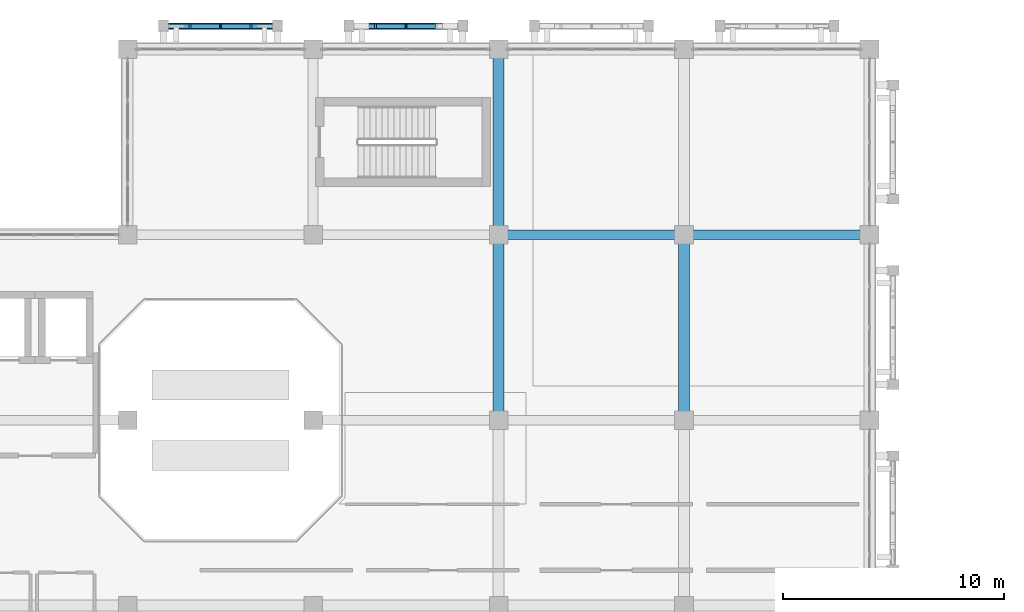
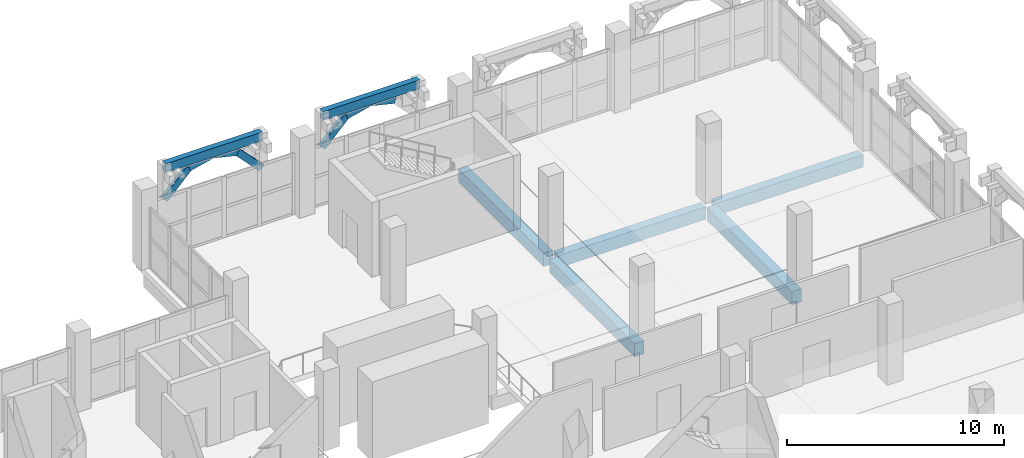
# One storey, part 59 of 137: 7 beams, 7 members.
"""IFC4 building model written with IfcOpenShell, lengths in metres."""

from ifc_helpers import new_model, si_unit, direction, frame, origin, origin_2d, place, context, subcontext, project, spatial, rectangle, extrude, material, material_profile, profile_set, type_object, element, save


model = new_model("IFC4")

# Units and contexts
model_context = context("Model", 3, precision=1e-05, world=origin(), true_north=direction((0.0, 1.0)))
body_context = subcontext(model_context, "Body", "Model", "MODEL_VIEW")
ifc_project = project(units=[si_unit("LENGTHUNIT", "METRE"), si_unit("AREAUNIT", "SQUARE_METRE"), si_unit("VOLUMEUNIT", "CUBIC_METRE"), si_unit("PLANEANGLEUNIT", "RADIAN"), si_unit("MASSUNIT", "GRAM", prefix="KILO")], contexts=[model_context])

# Site, building, storey
site_placement = place(None, origin())
site = spatial("IfcSite", under=ifc_project, at=site_placement, CompositionType="ELEMENT")
building_placement = place(site_placement, origin())
building = spatial("IfcBuilding", under=site, at=building_placement, Name="Xazarin Passage Department Store", CompositionType="ELEMENT")
storey_placement = place(building_placement, frame((0.0, 0.0, 5.39990234375)))
storey = spatial("IfcBuildingStorey", under=building, at=storey_placement, Name="L01", CompositionType="ELEMENT", Elevation=5.39990234375)

# Beams
ifc_material_1 = material(Name="Concrete C35/45", Category="concrete")
ifc_material_profile_1 = material_profile(ifc_material_1, rectangle(XDim=0.449951171875, YDim=0.699951171875, at=origin_2d()), Name="RC 450x700")
ifc_profile_set_1 = profile_set([ifc_material_profile_1], Name="Concrete C35/45")
beam_type_1 = type_object("IfcBeamType", Name="STR-BM-G450x700", PredefinedType="BEAM", material=ifc_profile_set_1)
for number, where, z_axis, x_axis, name in (
    (1, (33.8798828125, 101.60009765625, -0.64990234375), (1.0, 0.0, 0.0), (0.0, 1.0, 0.0), "L01 Grid Beam P/5-6"),
    (2, (42.280029296875, 101.60009765625, -0.64990234375), (1.0, 0.0, 0.0), (0.0, 1.0, 0.0), "L01 Grid Beam P/6-7"),
):
    element("IfcBeam", number, at=place(storey_placement, frame(where, z_axis=z_axis, x_axis=x_axis)), inside=storey, type_object=beam_type_1, Name=name, PredefinedType="BEAM", context=body_context, shape_type="SweptSolid", body=[
        extrude(rectangle(XDim=0.449951171875, YDim=0.699951171875, at=origin_2d()), origin(), (0.0, 0.0, 1.0), 7.840087890625),
    ])
ifc_material_profile_2 = material_profile(ifc_material_1, rectangle(XDim=0.300048828125, YDim=0.5, at=origin_2d()), Name="RC 300x500")
ifc_profile_set_2 = profile_set([ifc_material_profile_2], Name="Concrete C35/45")
beam_type_2 = type_object("IfcBeamType", Name="STR-BM-LN300x500", PredefinedType="LINTEL", material=ifc_profile_set_2)
beam_1_placement = place(storey_placement, frame((18.419921875, 111.050048828125, 4.25), z_axis=(1.0, 0.0, 0.0), x_axis=(0.0, 1.0, 0.0)))
element("IfcBeam", 3, at=beam_1_placement, inside=storey, type_object=beam_type_2, Name="L01 V1 Colonnade Spandrel Beam 001", PredefinedType="LINTEL", context=body_context, shape_type="SweptSolid", body=[
    extrude(rectangle(XDim=0.300048828125, YDim=0.5, at=origin_2d()), origin(), (0.0, 0.0, 1.0), 5.16015625),
])
beam_2_placement = place(storey_placement, frame((26.820068359375, 111.050048828125, 4.25), z_axis=(1.0, 0.0, 0.0), x_axis=(0.0, 1.0, 0.0)))
element("IfcBeam", 4, at=beam_2_placement, inside=storey, type_object=beam_type_2, Name="L01 V1 Colonnade Spandrel Beam 002", PredefinedType="LINTEL", context=body_context, shape_type="SweptSolid", body=[
    extrude(rectangle(XDim=0.300048828125, YDim=0.5, at=origin_2d()), origin(), (0.0, 0.0, 1.0), 5.159912109375),
])
ifc_material_profile_3 = material_profile(ifc_material_1, rectangle(XDim=0.5, YDim=0.75, at=origin_2d()), Name="RC 500x750")
ifc_profile_set_3 = profile_set([ifc_material_profile_3], Name="Concrete C35/45")
beam_type_3 = type_object("IfcBeamType", Name="STR-BM-SP500x750", PredefinedType="SPANDREL", material=ifc_profile_set_3)
for number, where, z_axis, x_axis, name in (
    (5, (33.60009765625, 93.47998046875, -0.6748046875), (0.0, 1.0, 0.0), (-1.0, 0.0, 0.0), "L01 Grid Beam 5/N-P"),
    (6, (33.60009765625, 101.8798828125, -0.6748046875), (0.0, 1.0, 0.0), (-1.0, 0.0, 0.0), "L01 Grid Beam 5/P-Q"),
    (7, (42.0, 93.47998046875, -0.6748046875), (0.0, 1.0, 0.0), (-1.0, 0.0, 0.0), "L01 Grid Beam 6/N-P"),
):
    element("IfcBeam", number, at=place(storey_placement, frame(where, z_axis=z_axis, x_axis=x_axis)), inside=storey, type_object=beam_type_3, Name=name, PredefinedType="SPANDREL", context=body_context, shape_type="SweptSolid", body=[
        extrude(rectangle(XDim=0.5, YDim=0.75, at=origin_2d()), origin(), (0.0, 0.0, 1.0), 7.840087890625),
    ])

# Members
ifc_material_2 = material(Name="Concrete C40/50", Category="concrete")
ifc_material_profile_4 = material_profile(ifc_material_2, rectangle(XDim=0.199951171875, YDim=0.360107421875, at=origin_2d()), Name="RC 200x360")
ifc_profile_set_4 = profile_set([ifc_material_profile_4], Name="Concrete C40/50")
member_type = type_object("IfcMemberType", Name="STR-MEM-ARC360", PredefinedType="CHORD", material=ifc_profile_set_4)
member_1_placement = place(storey_placement, frame((18.419921875, 111.050048828125, 2.43017578125), z_axis=(0.693460080602, 0.0, 0.720495049679), x_axis=(0.0, 1.0, 0.0)))
element("IfcMember", 8, at=member_1_placement, inside=storey, type_object=member_type, Name="L01 V1 Pierced Lattice Curved Arch 001.1", PredefinedType="CHORD", context=body_context, shape_type="SweptSolid", body=[
    extrude(rectangle(XDim=0.199951171875, YDim=0.360107421875, at=origin_2d()), origin(), (0.0, 0.0, 1.0), 1.8603515625),
])
for number, where, z_axis, x_axis, name in (
    (9, (19.7099609375, 111.050048828125, 3.7705078125), (0.972393983317, 0.0, 0.233345111818), (0.0, 1.0, 0.0), "L01 V1 Pierced Lattice Curved Arch 001.2"),
    (10, (21.0, 111.050048828125, 4.080078125), (0.972393983317, 0.0, -0.233345111818), (0.0, 1.0, 0.0), "L01 V1 Pierced Lattice Curved Arch 001.3"),
):
    element("IfcMember", number, at=place(storey_placement, frame(where, z_axis=z_axis, x_axis=x_axis)), inside=storey, type_object=member_type, Name=name, PredefinedType="CHORD", context=body_context, shape_type="SweptSolid", body=[
        extrude(rectangle(XDim=0.199951171875, YDim=0.360107421875, at=origin_2d()), origin(), (0.0, 0.0, 1.0), 1.32666015625),
    ])
for number, where, z_axis, x_axis, name in (
    (11, (22.2900390625, 111.050048828125, 3.7705078125), (0.693460080602, 0.0, -0.720495049679), (0.0, 1.0, 0.0), "L01 V1 Pierced Lattice Curved Arch 001.4"),
    (12, (26.820068359375, 111.050048828125, 2.43017578125), (0.693460080602, 0.0, 0.720495049679), (0.0, 1.0, 0.0), "L01 V1 Pierced Lattice Curved Arch 002.1"),
):
    element("IfcMember", number, at=place(storey_placement, frame(where, z_axis=z_axis, x_axis=x_axis)), inside=storey, type_object=member_type, Name=name, PredefinedType="CHORD", context=body_context, shape_type="SweptSolid", body=[
        extrude(rectangle(XDim=0.199951171875, YDim=0.360107421875, at=origin_2d()), origin(), (0.0, 0.0, 1.0), 1.8603515625),
    ])
member_2_placement = place(storey_placement, frame((28.110107421875, 111.050048828125, 3.7705078125), z_axis=(0.972383960415, 0.0, 0.233386875224), x_axis=(0.0, 1.0, 0.0)))
element("IfcMember", 13, at=member_2_placement, inside=storey, type_object=member_type, Name="L01 V1 Pierced Lattice Curved Arch 002.2", PredefinedType="CHORD", context=body_context, shape_type="SweptSolid", body=[
    extrude(rectangle(XDim=0.199951171875, YDim=0.360107421875, at=origin_2d()), origin(), (0.0, 0.0, 1.0), 1.326416015625),
])
member_3_placement = place(storey_placement, frame((29.39990234375, 111.050048828125, 4.080078125), z_axis=(0.972393983317, 0.0, -0.233345111818), x_axis=(0.0, 1.0, 0.0)))
element("IfcMember", 14, at=member_3_placement, inside=storey, type_object=member_type, Name="L01 V1 Pierced Lattice Curved Arch 002.3", PredefinedType="CHORD", context=body_context, shape_type="SweptSolid", body=[
    extrude(rectangle(XDim=0.199951171875, YDim=0.360107421875, at=origin_2d()), origin(), (0.0, 0.0, 1.0), 1.32666015625),
])

save(model, "model.ifc")
